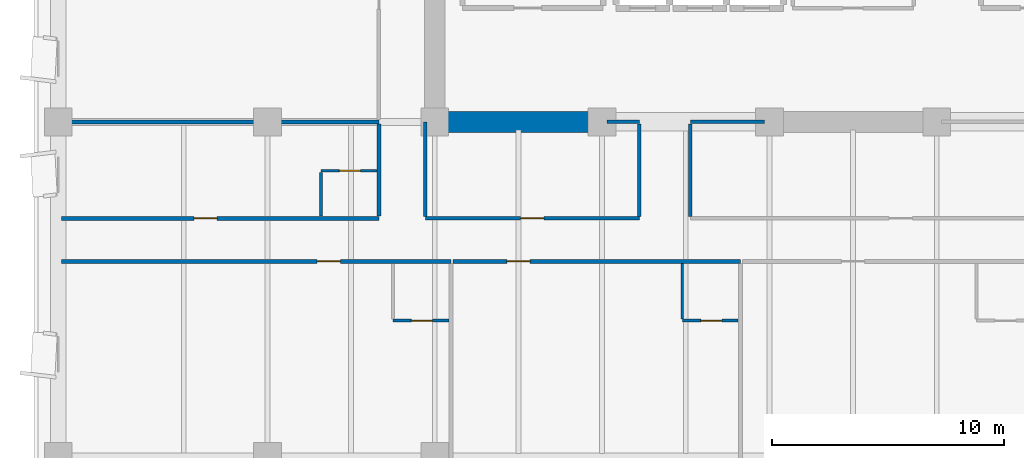
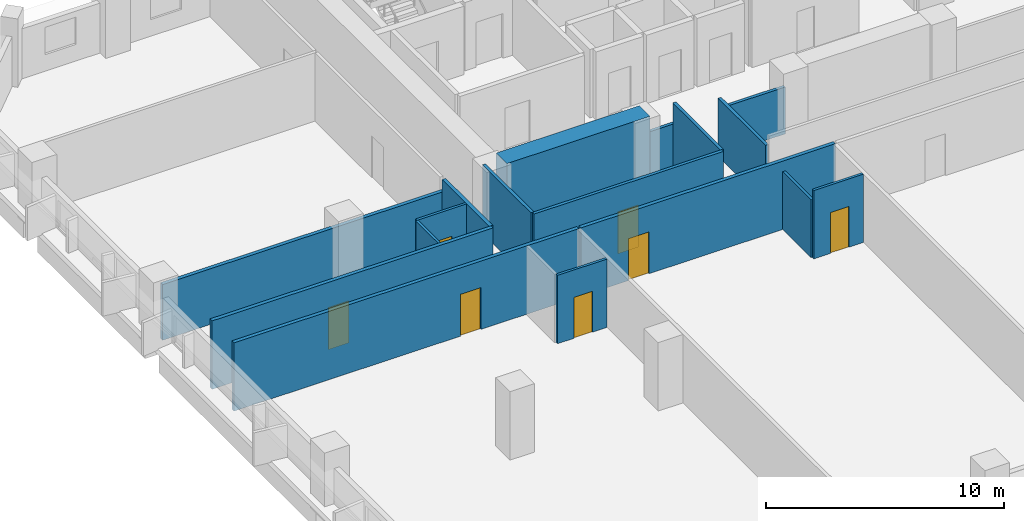
# One storey, part 4 of 15: 17 walls, 7 doors, 7 openings.
"""IFC4 building model written with IfcOpenShell, lengths in metres."""

from ifc_helpers import new_model, si_unit, direction, frame, frame_2d, origin, place, context, subcontext, project, spatial, rectangle, extrude, material, layer, layer_set, type_object, element, fill, save


model = new_model("IFC4")

# Units and contexts
model_context = context("Model", 3, precision=1e-05, world=origin(), true_north=direction((0.0, 1.0)))
body_context = subcontext(model_context, "Body", "Model", "MODEL_VIEW")
ifc_project = project(units=[si_unit("LENGTHUNIT", "METRE"), si_unit("AREAUNIT", "SQUARE_METRE"), si_unit("VOLUMEUNIT", "CUBIC_METRE"), si_unit("PLANEANGLEUNIT", "RADIAN"), si_unit("MASSUNIT", "GRAM", prefix="KILO")], contexts=[model_context])

# Site, building, storey
site_placement = place(None, origin())
site = spatial("IfcSite", under=ifc_project, at=site_placement, CompositionType="ELEMENT")
building_placement = place(site_placement, origin())
building = spatial("IfcBuilding", under=site, at=building_placement, Name="Kaelvorn Grand Hotel", CompositionType="ELEMENT")
storey_placement = place(building_placement, frame((0.0, 0.0, 115.550048828125)))
storey = spatial("IfcBuildingStorey", under=building, at=storey_placement, Name="L27", CompositionType="ELEMENT", Elevation=115.550048828125)

# Wall
ifc_material_1 = material(Name="Concrete C60/75", Category="concrete")
ifc_layer_1 = layer(ifc_material_1, 0.89990234375)
ifc_layer_set_1 = layer_set([ifc_layer_1], Name="Concrete C60/75")
wall_type_1 = type_object("IfcWallType", Name="WL-CORE-900-C60", PredefinedType="SHEAR", material=ifc_layer_set_1)
wall_1_placement = place(storey_placement, frame((16.655029296875, 29.39990234375, 0.0), z_axis=(0.0, 0.0, 1.0), x_axis=(1.0, 0.0, 0.0)))
element("IfcWall", 1, at=wall_1_placement, inside=storey, type_object=wall_type_1, Name="L27 Rear-Core Coupled Shear Pier S1", PredefinedType="SHEAR", context=body_context, shape_type="SweptSolid", body=[
    extrude(rectangle(XDim=6.945068359375, YDim=0.89990234375, at=frame_2d((3.47265625, 0.0))), origin(), (0.0, 0.0, 1.0), 3.510009765625),
])

# Wall, opening, door
ifc_material_2 = material(Name="Moisture-Resistant Tile & Stud Board")
ifc_layer_2 = layer(ifc_material_2, 0.125)
ifc_layer_set_2 = layer_set([ifc_layer_2], Name="Moisture-Resistant Tile & Stud Board")
wall_type_2 = type_object("IfcWallType", Name="WL-PART-125-WET", PredefinedType="PARTITIONING", material=ifc_layer_set_2)
wall_2_placement = place(storey_placement, frame((14.399658203125, 20.85009765625, 0.0), z_axis=(0.0, 0.0, 1.0), x_axis=(1.0, 0.0, 0.0)))
wall_2 = element("IfcWall", 2, at=wall_2_placement, inside=storey, type_object=wall_type_2, Name="L27 En-suite Bathroom L27-01 S Partition", PredefinedType="PARTITIONING", context=body_context, shape_type="SweptSolid", body=[
    extrude(rectangle(XDim=2.405029296875, YDim=0.125, at=frame_2d((1.20263671875, 0.0))), origin(), (0.0, 0.0, 1.0), 3.510009765625),
])
opening_1_placement = place(wall_2_placement, frame((0.800048828125, 0.0, 0.0)))
opening_1 = element("IfcOpeningElement", 3, at=opening_1_placement, cuts=wall_2, Name="Opening DI4", PredefinedType="OPENING", context=body_context, shape_type="SweptSolid", body=[
    extrude(rectangle(XDim=0.89990234375, YDim=2.10009765625, at=frame_2d((0.449951171875, 1.050048828125))), frame((0.0, 0.072509765625, 0.0), z_axis=(0.0, -1.0, 0.0), x_axis=(1.0, 0.0, 0.0)), (0.0, 0.0, 1.0), 0.14501953125),
])
ifc_material_3 = material(Name="Timber Veneer Leaf", Category="wood")
door_type_1 = type_object("IfcDoorType", Name="DR-INT-BATH-900x2100", OperationType="NOTDEFINED", PredefinedType="DOOR", material=ifc_material_3)
door_1_placement = place(opening_1_placement, origin())
door_1 = element("IfcDoor", 4, at=door_1_placement, inside=storey, type_object=door_type_1, Name="L27 En-suite Bathroom L27-01 Door", OperationType="SINGLE_SWING_LEFT", OverallHeight=2.10009765625, OverallWidth=0.89990234375, PredefinedType="DOOR", context=body_context, shape_type="SweptSolid", body=[
    extrude(rectangle(XDim=0.89990234375, YDim=2.10009765625, at=frame_2d((0.449951171875, 1.050048828125))), frame((0.0, 0.02490234375, 0.0), z_axis=(0.0, -1.0, 0.0), x_axis=(1.0, 0.0, 0.0)), (0.0, 0.0, 1.0), 0.050048828125),
])
fill(opening_1, door_1)

wall_3_placement = place(storey_placement, frame((26.849609375, 20.85009765625, 0.0), z_axis=(0.0, 0.0, 1.0), x_axis=(1.0, 0.0, 0.0)))
wall_3 = element("IfcWall", 5, at=wall_3_placement, inside=storey, type_object=wall_type_2, Name="L27 En-suite Bathroom L27-02 S Partition", PredefinedType="PARTITIONING", context=body_context, shape_type="SweptSolid", body=[
    extrude(rectangle(XDim=2.40478515625, YDim=0.125, at=frame_2d((1.202392578125, 0.0))), origin(), (0.0, 0.0, 1.0), 3.510009765625),
])
opening_2_placement = place(wall_3_placement, frame((0.800048828125, 0.0, 0.0)))
opening_2 = element("IfcOpeningElement", 6, at=opening_2_placement, cuts=wall_3, Name="Opening DI4", PredefinedType="OPENING", context=body_context, shape_type="SweptSolid", body=[
    extrude(rectangle(XDim=0.89990234375, YDim=2.10009765625, at=frame_2d((0.449951171875, 1.050048828125))), frame((0.0, 0.072509765625, 0.0), z_axis=(0.0, -1.0, 0.0), x_axis=(1.0, 0.0, 0.0)), (0.0, 0.0, 1.0), 0.14501953125),
])
door_2_placement = place(opening_2_placement, origin())
door_2 = element("IfcDoor", 7, at=door_2_placement, inside=storey, type_object=door_type_1, Name="L27 En-suite Bathroom L27-02 Door", OperationType="SINGLE_SWING_LEFT", OverallHeight=2.10009765625, OverallWidth=0.89990234375, PredefinedType="DOOR", context=body_context, shape_type="SweptSolid", body=[
    extrude(rectangle(XDim=0.89990234375, YDim=2.10009765625, at=frame_2d((0.449951171875, 1.050048828125))), frame((0.0, 0.02490234375, 0.0), z_axis=(0.0, -1.0, 0.0), x_axis=(1.0, 0.0, 0.0)), (0.0, 0.0, 1.0), 0.050048828125),
])
fill(opening_2, door_2)

# Wall
wall_4_placement = place(storey_placement, frame((26.849609375, 20.91748046875, 0.0), z_axis=(0.0, 0.0, 1.0), x_axis=(0.0, 1.0, 0.0)))
element("IfcWall", 8, at=wall_4_placement, inside=storey, type_object=wall_type_2, Name="L27 En-suite Bathroom L27-02 W Partition", PredefinedType="PARTITIONING", context=body_context, shape_type="SweptSolid", body=[
    extrude(rectangle(XDim=2.387451171875, YDim=0.125, at=frame_2d((1.19384765625, 0.0))), origin(), (0.0, 0.0, 1.0), 2.976806640625),
])

# Wall, opening, door
wall_5_placement = place(storey_placement, frame((11.300048828125, 27.300048828125, 0.0), z_axis=(0.0, 0.0, 1.0), x_axis=(1.0, 0.0, 0.0)))
wall_5 = element("IfcWall", 9, at=wall_5_placement, inside=storey, type_object=wall_type_2, Name="L27 En-suite Bathroom L27-07 N Partition", PredefinedType="PARTITIONING", context=body_context, shape_type="SweptSolid", body=[
    extrude(rectangle(XDim=2.405029296875, YDim=0.125, at=frame_2d((1.20263671875, 0.0))), origin(), (0.0, 0.0, 1.0), 3.510009765625),
])
opening_3_placement = place(wall_5_placement, frame((0.800048828125, 0.0, 0.0)))
opening_3 = element("IfcOpeningElement", 10, at=opening_3_placement, cuts=wall_5, Name="Opening DI4", PredefinedType="OPENING", context=body_context, shape_type="SweptSolid", body=[
    extrude(rectangle(XDim=0.89990234375, YDim=2.10009765625, at=frame_2d((0.449951171875, 1.050048828125))), frame((0.0, 0.072509765625, 0.0), z_axis=(0.0, -1.0, 0.0), x_axis=(1.0, 0.0, 0.0)), (0.0, 0.0, 1.0), 0.14501953125),
])
door_3_placement = place(opening_3_placement, origin())
door_3 = element("IfcDoor", 11, at=door_3_placement, inside=storey, type_object=door_type_1, Name="L27 En-suite Bathroom L27-07 Door", OperationType="SINGLE_SWING_LEFT", OverallHeight=2.10009765625, OverallWidth=0.89990234375, PredefinedType="DOOR", context=body_context, shape_type="SweptSolid", body=[
    extrude(rectangle(XDim=0.89990234375, YDim=2.10009765625, at=frame_2d((0.449951171875, 1.050048828125))), frame((0.0, 0.02490234375, 0.0), z_axis=(0.0, -1.0, 0.0), x_axis=(1.0, 0.0, 0.0)), (0.0, 0.0, 1.0), 0.050048828125),
])
fill(opening_3, door_3)

# Wall
wall_6_placement = place(storey_placement, frame((11.300048828125, 25.344970703125, 0.0), z_axis=(0.0, 0.0, 1.0), x_axis=(0.0, 1.0, 0.0)))
element("IfcWall", 12, at=wall_6_placement, inside=storey, type_object=wall_type_2, Name="L27 En-suite Bathroom L27-07 W Partition", PredefinedType="PARTITIONING", context=body_context, shape_type="SweptSolid", body=[
    extrude(rectangle(XDim=1.887451171875, YDim=0.125, at=frame_2d((0.94384765625, 0.0))), origin(), (0.0, 0.0, 1.0), 3.510009765625),
])

# Wall, opening, door
ifc_material_4 = material(Name="Acoustic Gypsum & Stud Partition")
ifc_layer_3 = layer(ifc_material_4, 0.14990234375)
ifc_layer_set_3 = layer_set([ifc_layer_3], Name="Acoustic Gypsum & Stud Partition")
wall_type_3 = type_object("IfcWallType", Name="WL-PART-150-EI60", PredefinedType="PARTITIONING", material=ifc_layer_set_3)
wall_7_placement = place(storey_placement, frame((15.800048828125, 25.25, 0.0), z_axis=(0.0, 0.0, 1.0), x_axis=(1.0, 0.0, 0.0)))
wall_7 = element("IfcWall", 13, at=wall_7_placement, inside=storey, type_object=wall_type_3, Name="L27 Botanical Conservatory Salon S Partition", PredefinedType="PARTITIONING", context=body_context, shape_type="SweptSolid", body=[
    extrude(rectangle(XDim=9.199951171875, YDim=0.14990234375, at=frame_2d((4.60009765625, 0.0))), origin(), (0.0, 0.0, 1.0), 3.510009765625),
])
opening_4_placement = place(wall_7_placement, frame((4.10009765625, 0.0, 0.0)))
opening_4 = element("IfcOpeningElement", 14, at=opening_4_placement, cuts=wall_7, Name="Opening DI3", PredefinedType="OPENING", context=body_context, shape_type="SweptSolid", body=[
    extrude(rectangle(XDim=1.0, YDim=2.14990234375, at=frame_2d((0.5, 1.074951171875))), frame((0.0, 0.0849609375, 0.0), z_axis=(0.0, -1.0, 0.0), x_axis=(1.0, 0.0, 0.0)), (0.0, 0.0, 1.0), 0.169921875),
])
ifc_material_5 = material(Name="Timber Veneer Fire Leaf", Category="wood")
door_type_2 = type_object("IfcDoorType", Name="DR-INT-GUEST-1000x2150", OperationType="NOTDEFINED", PredefinedType="DOOR", material=ifc_material_5)
door_4_placement = place(opening_4_placement, origin())
door_4 = element("IfcDoor", 15, at=door_4_placement, inside=storey, type_object=door_type_2, Name="L27 Botanical Conservatory Salon Door", OperationType="SINGLE_SWING_RIGHT", OverallHeight=2.14990234375, OverallWidth=1.0, PredefinedType="DOOR", context=body_context, shape_type="SweptSolid", body=[
    extrude(rectangle(XDim=1.0, YDim=2.14990234375, at=frame_2d((0.5, 1.074951171875))), frame((0.0, 0.02490234375, 0.0), z_axis=(0.0, -1.0, 0.0), x_axis=(1.0, 0.0, 0.0)), (0.0, 0.0, 1.0), 0.050048828125),
])
fill(opening_4, door_4)

# Walls
wall_8_placement = place(storey_placement, frame((23.610107421875, 29.39990234375, 0.0), z_axis=(0.0, 0.0, 1.0), x_axis=(1.0, 0.0, 0.0)))
element("IfcWall", 16, at=wall_8_placement, inside=storey, type_object=wall_type_3, Name="L27 Botanical Conservatory Salon N Partition", PredefinedType="PARTITIONING", context=body_context, shape_type="SweptSolid", body=[
    extrude(rectangle(XDim=1.389892578125, YDim=0.14990234375, at=frame_2d((0.69482421875, 0.0))), origin(), (0.0, 0.0, 1.0), 2.409912109375),
])
wall_9_placement = place(storey_placement, frame((15.800048828125, 25.330078125, 0.0), z_axis=(0.0, 0.0, 1.0), x_axis=(0.0, 1.0, 0.0)))
element("IfcWall", 17, at=wall_9_placement, inside=storey, type_object=wall_type_3, Name="L27 Botanical Conservatory Salon W Partition", PredefinedType="PARTITIONING", context=body_context, shape_type="SweptSolid", body=[
    extrude(rectangle(XDim=4.059814453125, YDim=0.14990234375, at=frame_2d((2.02978515625, 0.0))), origin(), (0.0, 0.0, 1.0), 3.510009765625),
])
wall_10_placement = place(storey_placement, frame((25.0, 25.330078125, 0.0), z_axis=(0.0, 0.0, 1.0), x_axis=(0.0, 1.0, 0.0)))
element("IfcWall", 18, at=wall_10_placement, inside=storey, type_object=wall_type_3, Name="L27 Botanical Conservatory Salon E Partition", PredefinedType="PARTITIONING", context=body_context, shape_type="SweptSolid", body=[
    extrude(rectangle(XDim=3.989990234375, YDim=0.14990234375, at=frame_2d((1.9951171875, 0.0))), origin(), (0.0, 0.0, 1.0), 3.510009765625),
])
wall_11_placement = place(storey_placement, frame((27.199951171875, 29.39990234375, 0.0), z_axis=(0.0, 0.0, 1.0), x_axis=(1.0, 0.0, 0.0)))
element("IfcWall", 19, at=wall_11_placement, inside=storey, type_object=wall_type_3, Name="L27 Catering Servery Kitchen N Partition (1)", PredefinedType="PARTITIONING", context=body_context, shape_type="SweptSolid", body=[
    extrude(rectangle(XDim=3.18994140625, YDim=0.14990234375, at=frame_2d((1.594970703125, 0.0))), origin(), (0.0, 0.0, 1.0), 2.409912109375),
])
wall_12_placement = place(storey_placement, frame((27.199951171875, 25.330078125, 0.0), z_axis=(0.0, 0.0, 1.0), x_axis=(0.0, 1.0, 0.0)))
element("IfcWall", 20, at=wall_12_placement, inside=storey, type_object=wall_type_3, Name="L27 Catering Servery Kitchen W Partition", PredefinedType="PARTITIONING", context=body_context, shape_type="SweptSolid", body=[
    extrude(rectangle(XDim=3.989990234375, YDim=0.14990234375, at=frame_2d((1.9951171875, 0.0))), origin(), (0.0, 0.0, 1.0), 2.976806640625),
])

# Wall, opening, door
ifc_layer_4 = layer(ifc_material_4, 0.179931640625)
ifc_layer_set_4 = layer_set([ifc_layer_4], Name="Acoustic Gypsum & Stud Partition")
wall_type_4 = type_object("IfcWallType", Name="WL-PART-180-EI60", PredefinedType="PARTITIONING", material=ifc_layer_set_4)
wall_13_placement = place(storey_placement, frame((0.14990234375, 23.39990234375, 0.0), z_axis=(0.0, 0.0, 1.0), x_axis=(1.0, 0.0, 0.0)))
wall_13 = element("IfcWall", 21, at=wall_13_placement, inside=storey, type_object=wall_type_4, Name="L27 Presidential Sky Suite L27-01 N Partition", PredefinedType="PARTITIONING", context=body_context, shape_type="SweptSolid", body=[
    extrude(rectangle(XDim=16.749755859375, YDim=0.179931640625, at=frame_2d((8.375, 0.0))), origin(), (0.0, 0.0, 1.0), 3.510009765625),
])
opening_5_placement = place(wall_13_placement, frame((10.98974609375, 0.0, 0.0)))
opening_5 = element("IfcOpeningElement", 22, at=opening_5_placement, cuts=wall_13, Name="Opening DI3", PredefinedType="OPENING", context=body_context, shape_type="SweptSolid", body=[
    extrude(rectangle(XDim=1.0, YDim=2.14990234375, at=frame_2d((0.5, 1.074951171875))), frame((0.0, 0.10009765625, 0.0), z_axis=(0.0, -1.0, 0.0), x_axis=(1.0, 0.0, 0.0)), (0.0, 0.0, 1.0), 0.199951171875),
])
door_5_placement = place(opening_5_placement, origin())
door_5 = element("IfcDoor", 23, at=door_5_placement, inside=storey, type_object=door_type_2, Name="L27 Presidential Sky Suite L27-01 Door", OperationType="SINGLE_SWING_RIGHT", OverallHeight=2.14990234375, OverallWidth=1.0, PredefinedType="DOOR", context=body_context, shape_type="SweptSolid", body=[
    extrude(rectangle(XDim=1.0, YDim=2.14990234375, at=frame_2d((0.5, 1.074951171875))), frame((0.0, 0.02490234375, 0.0), z_axis=(0.0, -1.0, 0.0), x_axis=(1.0, 0.0, 0.0)), (0.0, 0.0, 1.0), 0.050048828125),
])
fill(opening_5, door_5)

wall_14_placement = place(storey_placement, frame((16.99462890625, 23.39990234375, 0.0), z_axis=(0.0, 0.0, 1.0), x_axis=(1.0, 0.0, 0.0)))
wall_14 = element("IfcWall", 24, at=wall_14_placement, inside=storey, type_object=wall_type_4, Name="L27 Presidential Sky Suite L27-02 N Partition", PredefinedType="PARTITIONING", context=body_context, shape_type="SweptSolid", body=[
    extrude(rectangle(XDim=12.35498046875, YDim=0.179931640625, at=frame_2d((6.177490234375, 0.0))), origin(), (0.0, 0.0, 1.0), 3.510009765625),
])
opening_6_placement = place(wall_14_placement, frame((2.305419921875, 0.0, 0.0)))
opening_6 = element("IfcOpeningElement", 25, at=opening_6_placement, cuts=wall_14, Name="Opening DI3", PredefinedType="OPENING", context=body_context, shape_type="SweptSolid", body=[
    extrude(rectangle(XDim=1.0, YDim=2.14990234375, at=frame_2d((0.5, 1.074951171875))), frame((0.0, 0.10009765625, 0.0), z_axis=(0.0, -1.0, 0.0), x_axis=(1.0, 0.0, 0.0)), (0.0, 0.0, 1.0), 0.199951171875),
])
door_6_placement = place(opening_6_placement, origin())
door_6 = element("IfcDoor", 26, at=door_6_placement, inside=storey, type_object=door_type_2, Name="L27 Presidential Sky Suite L27-02 Door", OperationType="SINGLE_SWING_RIGHT", OverallHeight=2.14990234375, OverallWidth=1.0, PredefinedType="DOOR", context=body_context, shape_type="SweptSolid", body=[
    extrude(rectangle(XDim=1.0, YDim=2.14990234375, at=frame_2d((0.5, 1.074951171875))), frame((0.0, 0.02490234375, 0.0), z_axis=(0.0, -1.0, 0.0), x_axis=(1.0, 0.0, 0.0)), (0.0, 0.0, 1.0), 0.050048828125),
])
fill(opening_6, door_6)

wall_15_placement = place(storey_placement, frame((0.14990234375, 25.25, 0.0), z_axis=(0.0, 0.0, 1.0), x_axis=(1.0, 0.0, 0.0)))
wall_15 = element("IfcWall", 27, at=wall_15_placement, inside=storey, type_object=wall_type_4, Name="L27 West Chamfer Corner Suite L27-07 S Partition", PredefinedType="PARTITIONING", context=body_context, shape_type="SweptSolid", body=[
    extrude(rectangle(XDim=13.650146484375, YDim=0.179931640625, at=frame_2d((6.8251953125, 0.0))), origin(), (0.0, 0.0, 1.0), 3.510009765625),
])
opening_7_placement = place(wall_15_placement, frame((5.68505859375, 0.0, 0.0)))
opening_7 = element("IfcOpeningElement", 28, at=opening_7_placement, cuts=wall_15, Name="Opening DI3", PredefinedType="OPENING", context=body_context, shape_type="SweptSolid", body=[
    extrude(rectangle(XDim=1.0, YDim=2.14990234375, at=frame_2d((0.5, 1.074951171875))), frame((0.0, 0.10009765625, 0.0), z_axis=(0.0, -1.0, 0.0), x_axis=(1.0, 0.0, 0.0)), (0.0, 0.0, 1.0), 0.199951171875),
])
door_7_placement = place(opening_7_placement, origin())
door_7 = element("IfcDoor", 29, at=door_7_placement, inside=storey, type_object=door_type_2, Name="L27 West Chamfer Corner Suite L27-07 Door", OperationType="SINGLE_SWING_RIGHT", OverallHeight=2.14990234375, OverallWidth=1.0, PredefinedType="DOOR", context=body_context, shape_type="SweptSolid", body=[
    extrude(rectangle(XDim=1.0, YDim=2.14990234375, at=frame_2d((0.5, 1.074951171875))), frame((0.0, 0.02490234375, 0.0), z_axis=(0.0, -1.0, 0.0), x_axis=(1.0, 0.0, 0.0)), (0.0, 0.0, 1.0), 0.050048828125),
])
fill(opening_7, door_7)

# Walls
wall_16_placement = place(storey_placement, frame((0.14990234375, 29.39990234375, 0.0), z_axis=(0.0, 0.0, 1.0), x_axis=(1.0, 0.0, 0.0)))
element("IfcWall", 30, at=wall_16_placement, inside=storey, type_object=wall_type_4, Name="L27 West Chamfer Corner Suite L27-07 N Partition", PredefinedType="PARTITIONING", context=body_context, shape_type="SweptSolid", body=[
    extrude(rectangle(XDim=13.650146484375, YDim=0.179931640625, at=frame_2d((6.8251953125, 0.0))), origin(), (0.0, 0.0, 1.0), 2.85986328125),
])
wall_17_placement = place(storey_placement, frame((13.800048828125, 25.344970703125, 0.0), z_axis=(0.0, 0.0, 1.0), x_axis=(0.0, 1.0, 0.0)))
element("IfcWall", 31, at=wall_17_placement, inside=storey, type_object=wall_type_4, Name="L27 West Chamfer Corner Suite L27-07 E Partition", PredefinedType="PARTITIONING", context=body_context, shape_type="SweptSolid", body=[
    extrude(rectangle(XDim=3.9599609375, YDim=0.179931640625, at=frame_2d((1.97998046875, 0.0))), origin(), (0.0, 0.0, 1.0), 3.510009765625),
])

save(model, "model.ifc")
